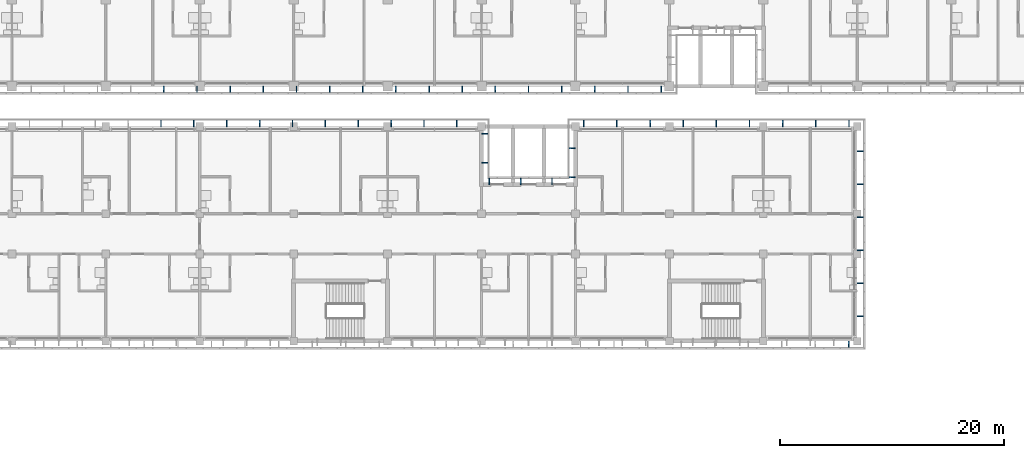
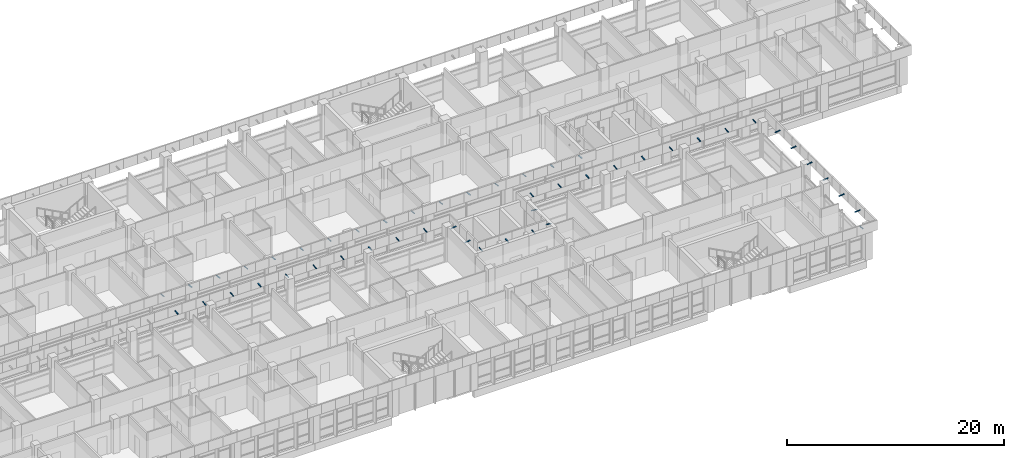
# One storey, part 57 of 74: 49 discrete accessories.
"""IFC4 building model written with IfcOpenShell, lengths in metres."""

from ifc_helpers import new_model, si_unit, direction, frame, origin, origin_2d, place, context, subcontext, project, spatial, rectangle, extrude, material, material_profile, profile_set, type_object, element, save


model = new_model("IFC4")

# Units and contexts
model_context = context("Model", 3, precision=1e-05, world=origin(), true_north=direction((0.0, 1.0)))
body_context = subcontext(model_context, "Body", "Model", "MODEL_VIEW")
ifc_project = project(units=[si_unit("LENGTHUNIT", "METRE"), si_unit("AREAUNIT", "SQUARE_METRE"), si_unit("VOLUMEUNIT", "CUBIC_METRE"), si_unit("PLANEANGLEUNIT", "RADIAN"), si_unit("MASSUNIT", "GRAM", prefix="KILO")], contexts=[model_context])

# Site, building, storey
site_placement = place(None, origin())
site = spatial("IfcSite", under=ifc_project, at=site_placement, CompositionType="ELEMENT")
building_placement = place(site_placement, origin())
building = spatial("IfcBuilding", under=site, at=building_placement, Name="Bougainvillea Quay General Hospital", CompositionType="ELEMENT")
storey_placement = place(building_placement, frame((0.0, 0.0, 21.0)))
storey = spatial("IfcBuildingStorey", under=building, at=storey_placement, Name="L04", CompositionType="ELEMENT", Elevation=21.0)

# Discrete accessories
ifc_material = material(Name="Stainless steel bracket, grade 316", Category="steel")
ifc_material_profile = material_profile(ifc_material, rectangle(XDim=0.080078125, YDim=0.050048828125, at=origin_2d()))
ifc_profile_set = profile_set([ifc_material_profile], Name="Stainless steel bracket, grade 316")
discrete_accessory_type = type_object("IfcDiscreteAccessoryType", Name="Stainless steel stand-off bracket 80x50", PredefinedType="BRACKET", material=ifc_profile_set)
for number, where, z_axis, x_axis, name in (
    (1, (105.98828125, 140.39990234375, 3.840087890625), (0.0, -0.994134149227, 0.108154026004), (1.0, 0.0, 0.0), "Fascia bracket e0 161"),
    (2, (108.952880859375, 140.39990234375, 3.840087890625), (0.0, -0.994134149227, 0.108154026004), (1.0, 0.0, 0.0), "Fascia bracket e0 163"),
    (3, (111.917724609375, 140.39990234375, 3.840087890625), (0.0, -0.994134149227, 0.108154026004), (1.0, 0.0, 0.0), "Fascia bracket e0 165"),
    (4, (114.88232421875, 140.39990234375, 3.840087890625), (0.0, -0.994134149227, 0.108154026004), (1.0, 0.0, 0.0), "Fascia bracket e0 167"),
    (5, (117.84716796875, 140.39990234375, 3.840087890625), (0.0, -0.994134149227, 0.108154026004), (1.0, 0.0, 0.0), "Fascia bracket e0 169"),
    (6, (120.811767578125, 140.39990234375, 3.840087890625), (0.0, -0.994134149227, 0.108154026004), (1.0, 0.0, 0.0), "Fascia bracket e0 171"),
    (7, (123.7763671875, 140.39990234375, 3.840087890625), (0.0, -0.994134149227, 0.108154026004), (1.0, 0.0, 0.0), "Fascia bracket e0 173"),
    (8, (126.7412109375, 140.39990234375, 3.840087890625), (0.0, -0.994134149227, 0.108154026004), (1.0, 0.0, 0.0), "Fascia bracket e0 175"),
    (9, (129.705810546875, 140.39990234375, 3.840087890625), (0.0, -0.994134149227, 0.108154026004), (1.0, 0.0, 0.0), "Fascia bracket e0 177"),
    (10, (132.670654296875, 140.39990234375, 3.840087890625), (0.0, -0.994134149227, 0.108154026004), (1.0, 0.0, 0.0), "Fascia bracket e0 179"),
    (11, (135.63525390625, 140.39990234375, 3.840087890625), (0.0, -0.994134149227, 0.108154026004), (1.0, 0.0, 0.0), "Fascia bracket e0 181"),
    (12, (138.60009765625, 140.39990234375, 3.840087890625), (0.0, -0.994134149227, 0.108154026004), (1.0, 0.0, 0.0), "Fascia bracket e0 183"),
    (13, (141.564697265625, 140.39990234375, 3.840087890625), (0.0, -0.994134149227, 0.108154026004), (1.0, 0.0, 0.0), "Fascia bracket e0 185"),
    (14, (144.529296875, 140.39990234375, 3.840087890625), (0.0, -0.994134149227, 0.108154026004), (1.0, 0.0, 0.0), "Fascia bracket e0 187"),
    (15, (147.494140625, 140.39990234375, 3.840087890625), (0.0, -0.994134149227, 0.108154026004), (1.0, 0.0, 0.0), "Fascia bracket e0 189"),
    (16, (150.458740234375, 140.39990234375, 3.840087890625), (0.0, -0.994134149227, 0.108154026004), (1.0, 0.0, 0.0), "Fascia bracket e0 191"),
):
    element("IfcDiscreteAccessory", number, at=place(storey_placement, frame(where, z_axis=z_axis, x_axis=x_axis)), inside=storey, type_object=discrete_accessory_type, Name=name, PredefinedType="BRACKET", context=body_context, shape_type="SweptSolid", body=[
        extrude(rectangle(XDim=0.080078125, YDim=0.050048828125, at=origin_2d()), origin(), (0.0, 0.0, 1.0), 0.552978515625),
    ])
for number, where, z_axis, x_axis, name in (
    (17, (167.25, 117.60009765625, 3.840087890625), (0.0, -0.994139309541, 0.108106582706), (1.0, 0.0, 0.0), "Fascia bracket e0 97"),
    (18, (168.0, 119.8154296875, 3.840087890625), (0.994139309541, 0.0, 0.108106582706), (0.0, 1.0, 0.0), "Fascia bracket e0 99"),
    (19, (168.0, 122.769287109375, 3.840087890625), (0.994139309541, 0.0, 0.108106582706), (0.0, 1.0, 0.0), "Fascia bracket e0 101"),
    (20, (168.0, 125.72314453125, 3.840087890625), (0.994139309541, 0.0, 0.108106582706), (0.0, 1.0, 0.0), "Fascia bracket e0 103"),
    (21, (168.0, 128.677001953125, 3.840087890625), (0.994139309541, 0.0, 0.108106582706), (0.0, 1.0, 0.0), "Fascia bracket e0 105"),
    (22, (168.0, 131.630859375, 3.840087890625), (0.994139309541, 0.0, 0.108106582706), (0.0, 1.0, 0.0), "Fascia bracket e0 107"),
    (23, (168.0, 134.584716796875, 3.840087890625), (0.994139309541, 0.0, 0.108106582706), (0.0, 1.0, 0.0), "Fascia bracket e0 109"),
    (24, (167.2587890625, 136.800048828125, 3.840087890625), (0.0, 0.994139309541, 0.108106582706), (-1.0, 0.0, 0.0), "Fascia bracket e0 111"),
    (25, (164.294189453125, 136.800048828125, 3.840087890625), (0.0, 0.994139309541, 0.108106582706), (-1.0, 0.0, 0.0), "Fascia bracket e0 113"),
    (26, (161.329345703125, 136.800048828125, 3.840087890625), (0.0, 0.994139309541, 0.108106582706), (-1.0, 0.0, 0.0), "Fascia bracket e0 115"),
    (27, (158.36474609375, 136.800048828125, 3.840087890625), (0.0, 0.994139309541, 0.108106582706), (-1.0, 0.0, 0.0), "Fascia bracket e0 117"),
    (28, (155.39990234375, 136.800048828125, 3.840087890625), (0.0, 0.994139309541, 0.108106582706), (-1.0, 0.0, 0.0), "Fascia bracket e0 119"),
    (29, (152.435302734375, 136.800048828125, 3.840087890625), (0.0, 0.994139309541, 0.108106582706), (-1.0, 0.0, 0.0), "Fascia bracket e0 121"),
    (30, (149.470703125, 136.800048828125, 3.840087890625), (0.0, 0.994139309541, 0.108106582706), (-1.0, 0.0, 0.0), "Fascia bracket e0 123"),
    (31, (146.505859375, 136.800048828125, 3.840087890625), (0.0, 0.994139309541, 0.108106582706), (-1.0, 0.0, 0.0), "Fascia bracket e0 125"),
    (32, (143.541259765625, 136.800048828125, 3.840087890625), (0.0, 0.994139309541, 0.108106582706), (-1.0, 0.0, 0.0), "Fascia bracket e0 127"),
    (33, (142.800048828125, 134.85009765625, 3.840087890625), (-0.994139309541, 0.0, 0.108106582706), (0.0, -1.0, 0.0), "Fascia bracket e0 129"),
    (34, (142.800048828125, 132.25, 3.840087890625), (-0.994139309541, 0.0, 0.108106582706), (0.0, -1.0, 0.0), "Fascia bracket e0 131"),
):
    element("IfcDiscreteAccessory", number, at=place(storey_placement, frame(where, z_axis=z_axis, x_axis=x_axis)), inside=storey, type_object=discrete_accessory_type, Name=name, PredefinedType="BRACKET", context=body_context, shape_type="SweptSolid", body=[
        extrude(rectangle(XDim=0.080078125, YDim=0.050048828125, at=origin_2d()), origin(), (0.0, 0.0, 1.0), 0.55322265625),
    ])
for number, where, z_axis, x_axis, name in (
    (35, (140.699951171875, 131.60009765625, 3.840087890625), (0.0, 0.994134149227, 0.108154026004), (-1.0, 0.0, 0.0), "Fascia bracket e0 133"),
    (36, (137.89990234375, 131.60009765625, 3.840087890625), (0.0, 0.994134149227, 0.108154026004), (-1.0, 0.0, 0.0), "Fascia bracket e0 135"),
    (37, (135.10009765625, 131.60009765625, 3.840087890625), (0.0, 0.994134149227, 0.108154026004), (-1.0, 0.0, 0.0), "Fascia bracket e0 137"),
):
    element("IfcDiscreteAccessory", number, at=place(storey_placement, frame(where, z_axis=z_axis, x_axis=x_axis)), inside=storey, type_object=discrete_accessory_type, Name=name, PredefinedType="BRACKET", context=body_context, shape_type="SweptSolid", body=[
        extrude(rectangle(XDim=0.080078125, YDim=0.050048828125, at=origin_2d()), origin(), (0.0, 0.0, 1.0), 0.552978515625),
    ])
for number, where, z_axis, x_axis, name in (
    (38, (134.39990234375, 133.550048828125, 3.840087890625), (0.994139309541, 0.0, 0.108106582706), (0.0, 1.0, 0.0), "Fascia bracket e0 139"),
    (39, (134.39990234375, 136.14990234375, 3.840087890625), (0.994139309541, 0.0, 0.108106582706), (0.0, 1.0, 0.0), "Fascia bracket e0 141"),
    (40, (132.195068359375, 136.800048828125, 3.840087890625), (0.0, 0.994139309541, 0.108106582706), (-1.0, 0.0, 0.0), "Fascia bracket e0 143"),
    (41, (129.2548828125, 136.800048828125, 3.840087890625), (0.0, 0.994139309541, 0.108106582706), (-1.0, 0.0, 0.0), "Fascia bracket e0 145"),
    (42, (126.31494140625, 136.800048828125, 3.840087890625), (0.0, 0.994139309541, 0.108106582706), (-1.0, 0.0, 0.0), "Fascia bracket e0 147"),
    (43, (123.375, 136.800048828125, 3.840087890625), (0.0, 0.994139309541, 0.108106582706), (-1.0, 0.0, 0.0), "Fascia bracket e0 149"),
    (44, (120.43505859375, 136.800048828125, 3.840087890625), (0.0, 0.994139309541, 0.108106582706), (-1.0, 0.0, 0.0), "Fascia bracket e0 151"),
    (45, (117.4951171875, 136.800048828125, 3.840087890625), (0.0, 0.994139309541, 0.108106582706), (-1.0, 0.0, 0.0), "Fascia bracket e0 153"),
    (46, (114.554931640625, 136.800048828125, 3.840087890625), (0.0, 0.994139309541, 0.108106582706), (-1.0, 0.0, 0.0), "Fascia bracket e0 155"),
    (47, (111.614990234375, 136.800048828125, 3.840087890625), (0.0, 0.994139309541, 0.108106582706), (-1.0, 0.0, 0.0), "Fascia bracket e0 157"),
    (48, (108.675048828125, 136.800048828125, 3.840087890625), (0.0, 0.994139309541, 0.108106582706), (-1.0, 0.0, 0.0), "Fascia bracket e0 159"),
    (49, (105.735107421875, 136.800048828125, 3.840087890625), (0.0, 0.994139309541, 0.108106582706), (-1.0, 0.0, 0.0), "Fascia bracket e0 161"),
):
    element("IfcDiscreteAccessory", number, at=place(storey_placement, frame(where, z_axis=z_axis, x_axis=x_axis)), inside=storey, type_object=discrete_accessory_type, Name=name, PredefinedType="BRACKET", context=body_context, shape_type="SweptSolid", body=[
        extrude(rectangle(XDim=0.080078125, YDim=0.050048828125, at=origin_2d()), origin(), (0.0, 0.0, 1.0), 0.55322265625),
    ])

save(model, "model.ifc")
